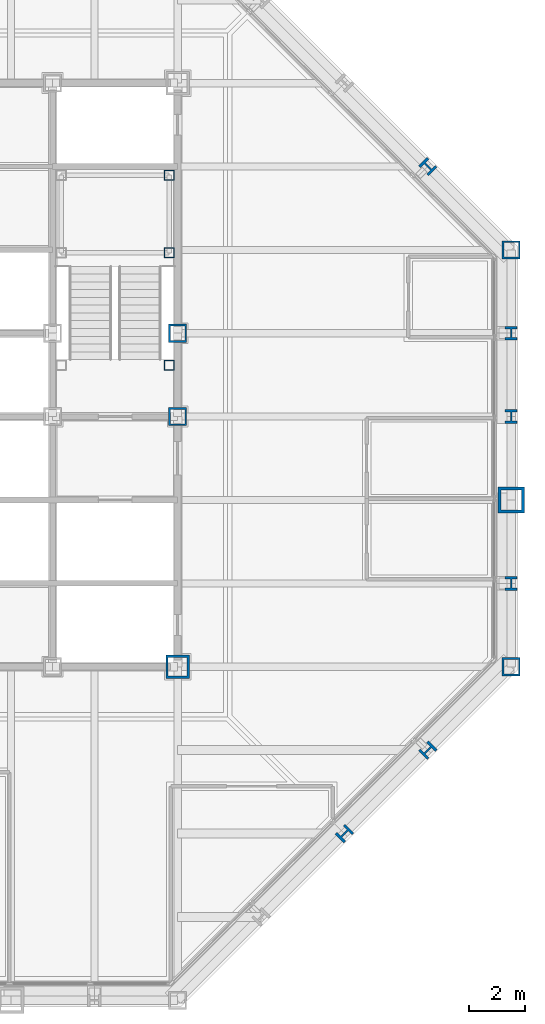
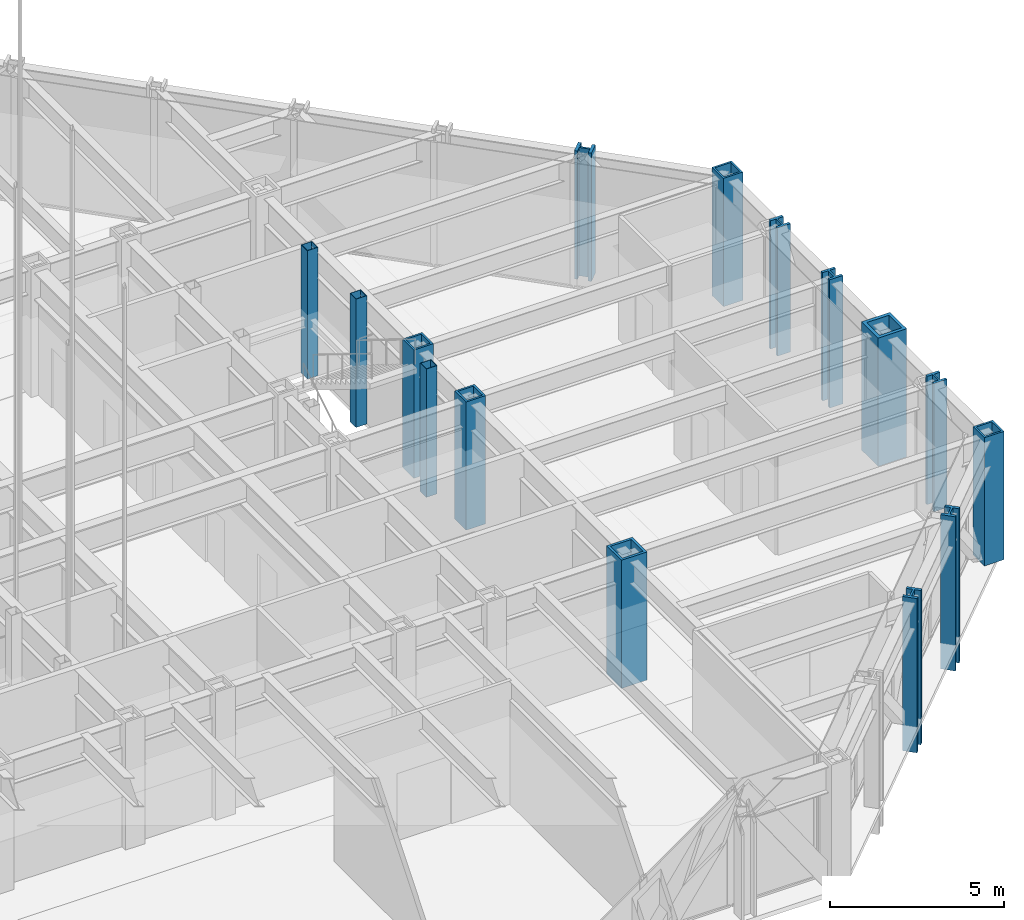
# One storey, part 2 of 24: 15 columns.
"""IFC4 building model written with IfcOpenShell, lengths in metres."""

from ifc_helpers import new_model, si_unit, direction, frame, origin, origin_2d, place, context, subcontext, project, spatial, hollow_rectangle, i_section, extrude, material, material_profile, profile_set, type_object, element, save


model = new_model("IFC4")

# Units and contexts
model_context = context("Model", 3, precision=1e-05, world=origin(), true_north=direction((0.0, 1.0)))
body_context = subcontext(model_context, "Body", "Model", "MODEL_VIEW")
ifc_project = project(units=[si_unit("LENGTHUNIT", "METRE"), si_unit("AREAUNIT", "SQUARE_METRE"), si_unit("VOLUMEUNIT", "CUBIC_METRE"), si_unit("PLANEANGLEUNIT", "RADIAN"), si_unit("MASSUNIT", "GRAM", prefix="KILO")], contexts=[model_context])

# Site, building, storey
site_placement = place(None, origin())
site = spatial("IfcSite", under=ifc_project, at=site_placement, CompositionType="ELEMENT")
building_placement = place(site_placement, origin())
building = spatial("IfcBuilding", under=site, at=building_placement, Name="Chuquiago Exchange Tower", CompositionType="ELEMENT")
storey_placement = place(building_placement, frame((0.0, 0.0, 180.0)))
storey = spatial("IfcBuildingStorey", under=building, at=storey_placement, Name="L39", CompositionType="ELEMENT", Elevation=180.0)

# Columns
ifc_material_1 = material(Name="Steel ASTM A992", Category="steel")
ifc_material_profile_1 = material_profile(ifc_material_1, i_section(OverallWidth=0.431884765625, OverallDepth=0.497802734375, WebThickness=0.0556640625, FlangeThickness=0.0888671875, at=origin_2d()), Name="W14X500")
ifc_profile_set_1 = profile_set([ifc_material_profile_1], Name="Steel ASTM A992")
column_type_1 = type_object("IfcColumnType", Name="C4 W14X500", PredefinedType="COLUMN", material=ifc_profile_set_1)
for number, where, z_axis, x_axis, name in (
    (1, (45.0, 15.0, 0.0), (0.0, 0.0, 1.0), (1.0, 0.0, 0.0), "COL-L39-45_15"),
    (2, (45.0, 21.0, 0.0), (0.0, 0.0, 1.0), (1.0, 0.0, 0.0), "COL-L39-45_21"),
    (3, (45.0, 24.0, 0.0), (0.0, 0.0, 1.0), (1.0, 0.0, 0.0), "COL-L39-45_24"),
):
    element("IfcColumn", number, at=place(storey_placement, frame(where, z_axis=z_axis, x_axis=x_axis)), inside=storey, type_object=column_type_1, Name=name, PredefinedType="COLUMN", context=body_context, shape_type="SweptSolid", body=[
        extrude(i_section(OverallWidth=0.431884765625, OverallDepth=0.497802734375, WebThickness=0.0556640625, FlangeThickness=0.0888671875, at=origin_2d()), origin(), (0.0, 0.0, 1.0), 4.5),
    ])
ifc_material_2 = material(Name="Steel ASTM A572 Grade 50", Category="steel")
ifc_material_profile_2 = material_profile(ifc_material_2, hollow_rectangle(XDim=0.64990234375, YDim=0.64990234375, WallThickness=0.06494140625, at=origin_2d()), Name="BOX650X650X65")
ifc_profile_set_2 = profile_set([ifc_material_profile_2], Name="Steel ASTM A572 Grade 50")
column_type_2 = type_object("IfcColumnType", Name="CC4 BOX650X650X65", PredefinedType="COLUMN", material=ifc_profile_set_2)
for number, where, z_axis, x_axis, name in (
    (4, (33.0, 21.0, 0.0), (0.0, 0.0, 1.0), (1.0, 0.0, 0.0), "CCOL-L39-33_21"),
    (5, (33.0, 24.0, 0.0), (0.0, 0.0, 1.0), (1.0, 0.0, 0.0), "CCOL-L39-33_24"),
):
    element("IfcColumn", number, at=place(storey_placement, frame(where, z_axis=z_axis, x_axis=x_axis)), inside=storey, type_object=column_type_2, Name=name, PredefinedType="COLUMN", context=body_context, shape_type="SweptSolid", body=[
        extrude(hollow_rectangle(XDim=0.64990234375, YDim=0.64990234375, WallThickness=0.06494140625, at=origin_2d()), origin(), (0.0, 0.0, 1.0), 4.5),
    ])
ifc_material_3 = material(Name="Steel ASTM A572 Grade 50", Category="steel")
ifc_material_profile_3 = material_profile(ifc_material_3, hollow_rectangle(XDim=0.85009765625, YDim=0.85009765625, WallThickness=0.0849609375, at=origin_2d()), Name="BOX850X850X85")
ifc_profile_set_3 = profile_set([ifc_material_profile_3], Name="Steel ASTM A572 Grade 50")
column_type_3 = type_object("IfcColumnType", Name="CC6 BOX850X850X85", PredefinedType="COLUMN", material=ifc_profile_set_3)
column_1_placement = place(storey_placement, frame((33.0, 12.0, 0.0), z_axis=(0.0, 0.0, 1.0), x_axis=(1.0, 0.0, 0.0)))
element("IfcColumn", 6, at=column_1_placement, inside=storey, type_object=column_type_3, Name="CCOL-L39-33_12", PredefinedType="COLUMN", context=body_context, shape_type="SweptSolid", body=[
    extrude(hollow_rectangle(XDim=0.85009765625, YDim=0.85009765625, WallThickness=0.0849609375, at=origin_2d()), origin(), (0.0, 0.0, 1.0), 4.5),
])
ifc_material_4 = material(Name="Steel ASTM A992", Category="steel")
ifc_material_profile_4 = material_profile(ifc_material_4, i_section(OverallWidth=0.436767578125, OverallDepth=0.51318359375, WebThickness=0.060546875, FlangeThickness=0.096923828125, at=origin_2d()), Name="W14X550")
ifc_profile_set_4 = profile_set([ifc_material_profile_4], Name="Steel ASTM A992")
column_type_4 = type_object("IfcColumnType", Name="CK4 W14X550", PredefinedType="COLUMN", material=ifc_profile_set_4)
for number, where, z_axis, x_axis, name in (
    (7, (39.0, 6.0, -0.909912109375), (0.0, 0.0, 1.0), (0.707106781187, -0.707106781187, 0.0), "COL-L39-39_6"),
    (8, (42.0, 9.0, -0.909912109375), (0.0, 0.0, 1.0), (0.707106781187, -0.707106781187, 0.0), "COL-L39-42_9"),
):
    element("IfcColumn", number, at=place(storey_placement, frame(where, z_axis=z_axis, x_axis=x_axis)), inside=storey, type_object=column_type_4, Name=name, PredefinedType="COLUMN", context=body_context, shape_type="SweptSolid", body=[
        extrude(i_section(OverallWidth=0.436767578125, OverallDepth=0.51318359375, WebThickness=0.060546875, FlangeThickness=0.096923828125, at=origin_2d()), origin(), (0.0, 0.0, 1.0), 5.409912109375),
    ])
column_2_placement = place(storey_placement, frame((42.0, 30.0, 0.0), z_axis=(0.0, 0.0, 1.0), x_axis=(0.707106781187, 0.707106781187, 0.0)))
element("IfcColumn", 9, at=column_2_placement, inside=storey, type_object=column_type_4, Name="COL-L39-42_30", PredefinedType="COLUMN", context=body_context, shape_type="SweptSolid", body=[
    extrude(i_section(OverallWidth=0.436767578125, OverallDepth=0.51318359375, WebThickness=0.060546875, FlangeThickness=0.096923828125, at=origin_2d()), origin(), (0.0, 0.0, 1.0), 4.5),
])
ifc_material_5 = material(Name="Steel ASTM A572 Grade 50", Category="steel")
ifc_material_profile_5 = material_profile(ifc_material_5, hollow_rectangle(XDim=0.64990234375, YDim=0.64990234375, WallThickness=0.06494140625, at=origin_2d()), Name="BOX650X650X65")
ifc_profile_set_5 = profile_set([ifc_material_profile_5], Name="Steel ASTM A572 Grade 50")
column_type_5 = type_object("IfcColumnType", Name="CN2 BOX650X650X65", PredefinedType="COLUMN", material=ifc_profile_set_5)
for number, where, z_axis, x_axis, name in (
    (10, (45.0, 12.0, 0.0), (0.0, 0.0, 1.0), (1.0, 0.0, 0.0), "COL-L39-45_12"),
    (11, (45.0, 27.0, 0.0), (0.0, 0.0, 1.0), (1.0, 0.0, 0.0), "COL-L39-45_27"),
):
    element("IfcColumn", number, at=place(storey_placement, frame(where, z_axis=z_axis, x_axis=x_axis)), inside=storey, type_object=column_type_5, Name=name, PredefinedType="COLUMN", context=body_context, shape_type="SweptSolid", body=[
        extrude(hollow_rectangle(XDim=0.64990234375, YDim=0.64990234375, WallThickness=0.06494140625, at=origin_2d()), origin(), (0.0, 0.0, 1.0), 4.5),
    ])
ifc_material_6 = material(Name="Steel ASTM A572 Grade 42", Category="steel")
ifc_material_profile_6 = material_profile(ifc_material_6, hollow_rectangle(XDim=0.949951171875, YDim=0.949951171875, WallThickness=0.110107421875, at=origin_2d()), Name="BOX950X950X110")
ifc_profile_set_6 = profile_set([ifc_material_profile_6], Name="Steel ASTM A572 Grade 42")
column_type_6 = type_object("IfcColumnType", Name="CT1 BOX950X950X110", PredefinedType="COLUMN", material=ifc_profile_set_6)
column_3_placement = place(storey_placement, frame((45.0, 18.0, 0.0), z_axis=(0.0, 0.0, 1.0), x_axis=(1.0, 0.0, 0.0)))
element("IfcColumn", 12, at=column_3_placement, inside=storey, type_object=column_type_6, Name="COL-L39-45_18", PredefinedType="COLUMN", context=body_context, shape_type="SweptSolid", body=[
    extrude(hollow_rectangle(XDim=0.949951171875, YDim=0.949951171875, WallThickness=0.110107421875, at=origin_2d()), origin(), (0.0, 0.0, 1.0), 4.5),
])
ifc_material_7 = material(Name="Steel ASTM A500 Grade C", Category="steel")
ifc_material_profile_7 = material_profile(ifc_material_7, hollow_rectangle(XDim=0.355712890625, YDim=0.355712890625, WallThickness=0.0146484375, at=origin_2d()), Name="HSS14X14X5/8")
ifc_profile_set_7 = profile_set([ifc_material_profile_7], Name="Steel ASTM A500 Grade C")
column_type_7 = type_object("IfcColumnType", Name="PT2 HSS14X14X5/8", PredefinedType="COLUMN", material=ifc_profile_set_7)
for number, where, z_axis, x_axis, name in (
    (13, (32.68994140625, 29.68994140625, 0.0), (0.0, 0.0, 1.0), (1.0, 0.0, 0.0), "Stair ST2 L39 landing post"),
    (14, (32.68994140625, 26.889892578125, 0.0), (0.0, 0.0, 1.0), (1.0, 0.0, 0.0), "Stair ST2 L39 landing post"),
    (15, (32.68994140625, 22.85009765625, 0.0), (0.0, 0.0, 1.0), (1.0, 0.0, 0.0), "Stair ST2 L39 landing post"),
):
    element("IfcColumn", number, at=place(storey_placement, frame(where, z_axis=z_axis, x_axis=x_axis)), inside=storey, type_object=column_type_7, Name=name, PredefinedType="COLUMN", context=body_context, shape_type="SweptSolid", body=[
        extrude(hollow_rectangle(XDim=0.355712890625, YDim=0.355712890625, WallThickness=0.0146484375, at=origin_2d()), origin(), (0.0, 0.0, 1.0), 4.5),
    ])

save(model, "model.ifc")
